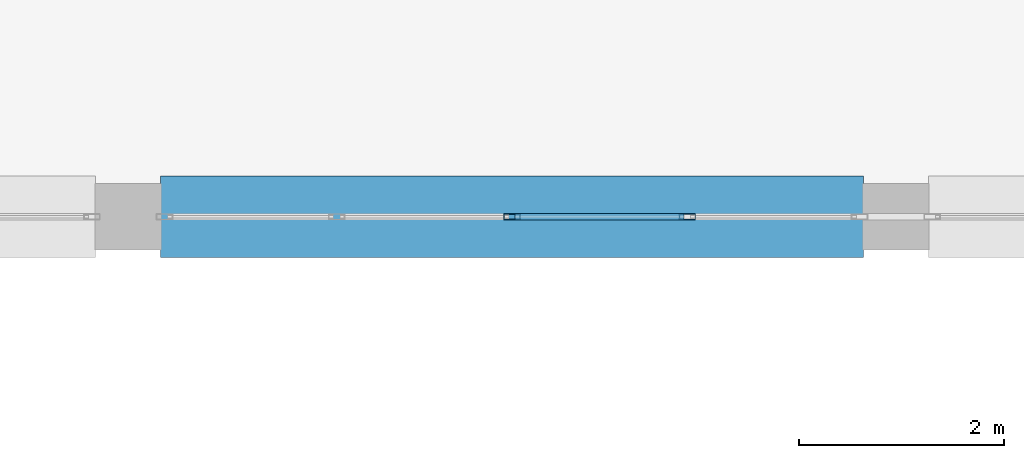
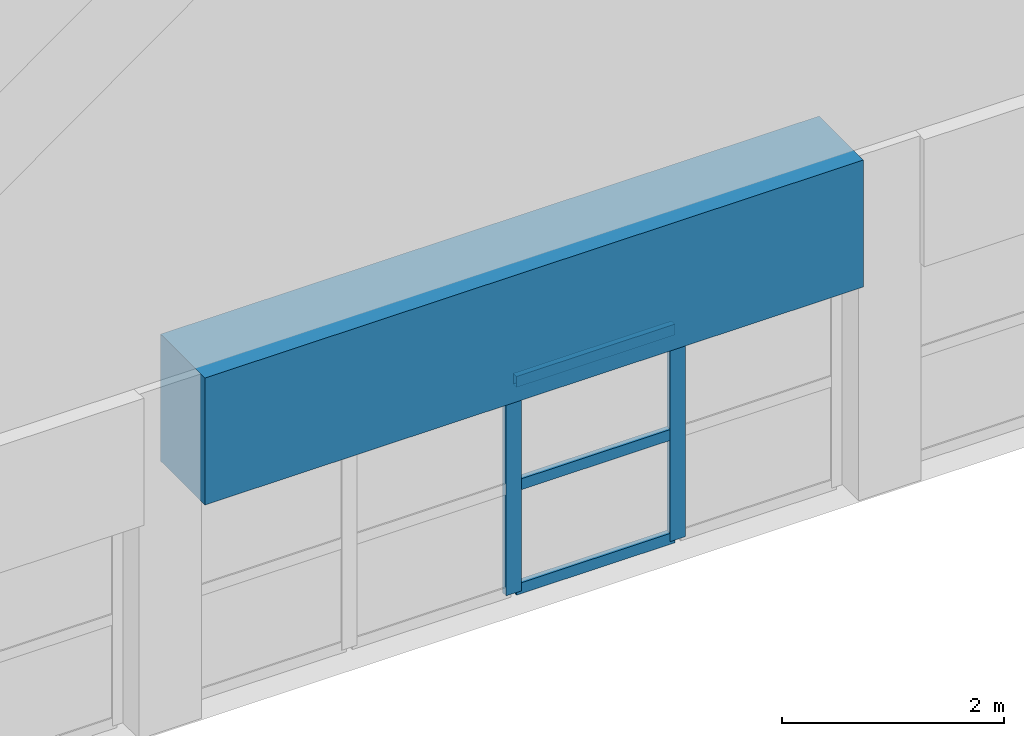
# One storey, part 17 of 74: 5 members, 1 beam, 1 element without a shape of its own.
"""IFC4 building model written with IfcOpenShell, lengths in metres."""

import ifcopenshell
import ifcopenshell.guid

model = None  # the IFC model being written
_history = None  # IfcOwnerHistory: only IFC2X3 demands one
_inside = {}  # id of a spatial element -> (the spatial element, [elements in it])
_under = {}  # id of a project, library or spatial element -> (it, [spatial elements below it])
_declared = {}  # id of a project -> (the project, [libraries it declares])
_typed = {}  # id of a type object -> (the type object, [elements of that type])
_made_of = {}  # id of a material, layer set ... -> (it, [elements and type objects made of it])


def new_model(schema):
    """Start an empty IFC model of exactly this schema.

    Asked for "IFC4X3", IfcOpenShell would pick the latest addendum, in which some entities
    have other attributes; the version numbers below select the first issue.
    IFC2X3 requires an IfcOwnerHistory on every rooted entity: one is made here for all.
    """
    global model, _history
    if schema == "IFC4X3":
        model = ifcopenshell.file(schema_version=(4, 3, 0, 0))
    else:
        model = ifcopenshell.file(schema=schema)
    _inside.clear()
    _under.clear()
    _declared.clear()
    _typed.clear()
    _made_of.clear()
    _history = None
    if model.schema == "IFC2X3":
        org = make("IfcOrganization", Name="unknown")
        user = make(
            "IfcPersonAndOrganization",
            ThePerson=make("IfcPerson", FamilyName="unknown"),
            TheOrganization=org,
        )
        app = make(
            "IfcApplication",
            ApplicationDeveloper=org,
            Version="unknown",
            ApplicationFullName="unknown",
            ApplicationIdentifier="unknown",
        )
        _history = make(
            "IfcOwnerHistory",
            OwningUser=user,
            OwningApplication=app,
            ChangeAction="ADDED",
            CreationDate=0,
        )
    return model


def make(cls, **values):
    """One entity of the class cls with the attributes given. An attribute that is None is left unset."""
    return model.create_entity(
        cls, **{name: value for name, value in values.items() if value is not None}
    )


def rooted(cls, **values):
    """An entity with a GlobalId (a new one), such as an element, a storey or a relation."""
    return make(cls, GlobalId=ifcopenshell.guid.new(), OwnerHistory=_history, **values)


def si_unit(unit_type, name, prefix=None):
    """IfcSIUnit, for example si_unit("LENGTHUNIT", "METRE", prefix="MILLI")."""
    return make("IfcSIUnit", UnitType=unit_type, Prefix=prefix, Name=name)


def assignment(units):
    """IfcUnitAssignment: the units of a project."""
    return None if units is None else make("IfcUnitAssignment", Units=units)


def point(xyz):
    """IfcCartesianPoint."""
    return None if xyz is None else make("IfcCartesianPoint", Coordinates=xyz)


def direction(xyz):
    """IfcDirection."""
    return None if xyz is None else make("IfcDirection", DirectionRatios=xyz)


def frame(location, z_axis=None, x_axis=None):
    """IfcAxis2Placement3D, a coordinate frame: its origin and axes. An axis left out is left unset."""
    return make(
        "IfcAxis2Placement3D",
        Location=point(location),
        Axis=direction(z_axis),
        RefDirection=direction(x_axis),
    )


def frame_2d(location, x_axis=None):
    """IfcAxis2Placement2D, a coordinate frame in the plane: its origin and x axis."""
    return make(
        "IfcAxis2Placement2D", Location=point(location), RefDirection=direction(x_axis)
    )


def origin():
    """The frame at (0, 0, 0) with its axes left unset."""
    return frame((0.0, 0.0, 0.0))


def origin_2d():
    """The frame at (0, 0) in the plane with its x axis left unset."""
    return frame_2d((0.0, 0.0))


def place(relative_to, where):
    """IfcLocalPlacement: puts the frame where relative to a parent placement (None: the world)."""
    return make(
        "IfcLocalPlacement", PlacementRelTo=relative_to, RelativePlacement=where
    )


def context(
    kind, dimensions, precision=None, world=None, true_north=None, identifier=None
):
    """IfcGeometricRepresentationContext, for example the 3D "Model" context."""
    return make(
        "IfcGeometricRepresentationContext",
        ContextIdentifier=identifier,
        ContextType=kind,
        CoordinateSpaceDimension=dimensions,
        Precision=precision,
        WorldCoordinateSystem=world,
        TrueNorth=true_north,
    )


def subcontext(parent, identifier, kind, view, scale=None):
    """IfcGeometricRepresentationSubContext, for example "Body" below "Model"."""
    return make(
        "IfcGeometricRepresentationSubContext",
        ContextIdentifier=identifier,
        ContextType=kind,
        ParentContext=parent,
        TargetScale=scale,
        TargetView=view,
    )


def project(units=None, contexts=None):
    """IfcProject with its units and contexts."""
    return rooted(
        "IfcProject",
        Name="project",
        RepresentationContexts=contexts,
        UnitsInContext=assignment(units),
    )


def spatial(cls, under=None, at=None, **own):
    """A site, building, storey or space (cls), placed at a placement, below another one or the project."""
    s = rooted(cls, ObjectPlacement=at, **own)
    if under is not None:
        _under.setdefault(under.id(), (under, []))[1].append(s)
    return s


def profile(cls, at=None, kind="AREA", **sizes):
    """A parametric profile (cls). Its sizes go by their IFC names, for example OverallWidth=200.0."""
    return make(cls, ProfileType=kind, Position=at, **sizes)


def rectangle(**sizes):
    """IfcRectangleProfileDef."""
    return profile("IfcRectangleProfileDef", **sizes)


def hollow_rectangle(**sizes):
    """IfcRectangleHollowProfileDef."""
    return profile("IfcRectangleHollowProfileDef", **sizes)


def extrude(swept, where, along, depth):
    """IfcExtrudedAreaSolid: the profile swept, set in the frame where, extruded along a direction by depth."""
    return make(
        "IfcExtrudedAreaSolid",
        SweptArea=swept,
        Position=where,
        ExtrudedDirection=direction(along),
        Depth=depth,
    )


def shape(context_of_items, identifier, shape_type, items):
    """IfcShapeRepresentation: the items that make up one representation, for example the "Body"."""
    return make(
        "IfcShapeRepresentation",
        ContextOfItems=context_of_items,
        RepresentationIdentifier=identifier,
        RepresentationType=shape_type,
        Items=items,
    )


def material(Name=None, Category=None):
    """IfcMaterial."""
    return make("IfcMaterial", Name=Name, Category=Category)


def layer(
    of_material, thickness, ventilated=None, Name=None, Category=None, Priority=None
):
    """IfcMaterialLayer: one layer of a wall or slab, of a material (None: an air gap)."""
    return make(
        "IfcMaterialLayer",
        Material=of_material,
        LayerThickness=thickness,
        IsVentilated=ventilated,
        Name=Name,
        Category=Category,
        Priority=Priority,
    )


def layer_set(layers, Name=None):
    """IfcMaterialLayerSet."""
    return make("IfcMaterialLayerSet", MaterialLayers=layers, LayerSetName=Name)


def material_profile(
    of_material, cross_section, Name=None, Category=None, Priority=None
):
    """IfcMaterialProfile: a cross section and its material."""
    return make(
        "IfcMaterialProfile",
        Name=Name,
        Material=of_material,
        Profile=cross_section,
        Priority=Priority,
        Category=Category,
    )


def profile_set(profiles, Name=None, composite=None):
    """IfcMaterialProfileSet."""
    return make(
        "IfcMaterialProfileSet",
        Name=Name,
        MaterialProfiles=profiles,
        CompositeProfile=composite,
    )


def made_of(thing, what):
    """Note that an element or type object is made of a material, layer set ...; save() writes the relation."""
    if what is not None:
        _made_of.setdefault(what.id(), (what, []))[1].append(thing)
    return thing


def type_object(cls, material=None, **own):
    """A type object (cls), such as IfcWallType, which elements share."""
    return made_of(rooted(cls, **own), material)


def element(
    cls,
    number,
    at=None,
    inside=None,
    cuts=None,
    type_object=None,
    material=None,
    context=None,
    identifier="Body",
    shape_type=None,
    held_by="IfcProductDefinitionShape",
    body=None,
    shapes=None,
    **own,
):
    """One element of the class cls, such as IfcWall. Its Tag is "e" and its number.

    at: its placement. inside: the storey or other place that contains it. cuts: it is an
    opening in that element (IfcRelVoidsElement). A single representation is given by context,
    identifier, shape_type and body (its items); several are given by shapes. held_by: the class
    of the entity that holds the representations. save() writes the other relations.
    """
    e = rooted(cls, Tag="e%d" % number, ObjectPlacement=at, **own)
    if body is not None:
        shapes = [shape(context, identifier, shape_type, body)]
    if shapes is not None:
        e.Representation = make(held_by, Representations=shapes)
    if inside is not None:
        _inside.setdefault(inside.id(), (inside, []))[1].append(e)
    if cuts is not None:
        rooted(
            "IfcRelVoidsElement", RelatingBuildingElement=cuts, RelatedOpeningElement=e
        )
    if type_object is not None:
        _typed.setdefault(type_object.id(), (type_object, []))[1].append(e)
    return made_of(e, material)


def aggregate(whole, parts):
    """IfcRelAggregates: a whole, such as a stair, and the parts it consists of."""
    return rooted("IfcRelAggregates", RelatingObject=whole, RelatedObjects=parts)


def save(model, path):
    """Write the relations noted so far, then the file.

    IfcRelAggregates (storeys below a building ...), IfcRelContainedInSpatialStructure (elements
    in a storey), IfcRelDefinesByType, IfcRelAssociatesMaterial and IfcRelDeclares: one each for
    every whole, place, type object, material and project.
    """
    for whole, parts in _under.values():
        aggregate(whole, parts)
    for where, things in _inside.values():
        rooted(
            "IfcRelContainedInSpatialStructure",
            RelatedElements=things,
            RelatingStructure=where,
        )
    for kind, things in _typed.values():
        rooted("IfcRelDefinesByType", RelatedObjects=things, RelatingType=kind)
    for what, things in _made_of.values():
        rooted("IfcRelAssociatesMaterial", RelatedObjects=things, RelatingMaterial=what)
    for by, libraries in _declared.values():
        rooted("IfcRelDeclares", RelatingContext=by, RelatedDefinitions=libraries)
    model.write(path)


model = new_model("IFC4")

# Units and contexts
model_context = context("Model", 3, precision=1e-05, world=origin(), true_north=direction((0.0, 1.0)))
body_context = subcontext(model_context, "Body", "Model", "MODEL_VIEW")
ifc_project = project(units=[si_unit("LENGTHUNIT", "METRE"), si_unit("AREAUNIT", "SQUARE_METRE"), si_unit("VOLUMEUNIT", "CUBIC_METRE"), si_unit("PLANEANGLEUNIT", "RADIAN"), si_unit("MASSUNIT", "GRAM", prefix="KILO")], contexts=[model_context])

# Site, building, storey
site_placement = place(None, origin())
site = spatial("IfcSite", under=ifc_project, at=site_placement, CompositionType="ELEMENT")
building_placement = place(site_placement, origin())
building = spatial("IfcBuilding", under=site, at=building_placement, Name="Muzn Square Opera House", CompositionType="ELEMENT")
storey_placement = place(building_placement, frame((0.0, 0.0, 14.199951171875)))
storey = spatial("IfcBuildingStorey", under=building, at=storey_placement, Name="L03", CompositionType="ELEMENT", Elevation=14.199951171875)

# Curtain wall, members
ifc_material_1 = material(Name="Low-E laminated acoustic double glazing", Category="glass")
ifc_layer = layer(ifc_material_1, 0.159912109375, Name="Low-E laminated acoustic double glazing", Category="glass")
ifc_layer_set = layer_set([ifc_layer], Name="Low-E laminated acoustic double glazing")
curtain_wall_type = type_object("IfcCurtainWallType", Name="Glazed Curtain Wall Forecourt 6850x2350", PredefinedType="USERDEFINED", material=ifc_layer_set)
curtain_wall_placement = place(storey_placement, origin())
curtain_wall = element("IfcCurtainWall", 1, at=curtain_wall_placement, inside=storey, type_object=curtain_wall_type, Name="Glazed Curtain Wall CW-L03-023", ObjectType="GLAZED CURTAIN WALL", PredefinedType="USERDEFINED")
ifc_material_2 = material(Name="Anodised bronze aluminium 6063-T6", Category="metal")
ifc_material_profile_1 = material_profile(ifc_material_2, hollow_rectangle(XDim=0.06005859375, YDim=0.159912109375, WallThickness=0.00390625, at=origin_2d()), Name="ALU 160x60x4", Category="metal")
ifc_profile_set_1 = profile_set([ifc_material_profile_1], Name="Anodised bronze aluminium 6063-T6")
member_type_1 = type_object("IfcMemberType", Name="Curtain Wall Mullion 160x60", PredefinedType="MULLION", material=ifc_profile_set_1)
member_1_placement = place(storey_placement, frame((84.25, 22.0, 0.0), z_axis=(0.0, 0.0, 1.0), x_axis=(0.0, 1.0, 0.0)))
member_1 = element("IfcMember", 2, at=member_1_placement, type_object=member_type_1, Name="CW-FC-68x23 mullion 3", PredefinedType="MULLION", context=body_context, shape_type="SweptSolid", body=[
    extrude(hollow_rectangle(XDim=0.06005859375, YDim=0.159912109375, WallThickness=0.00390625, at=origin_2d()), origin(), (0.0, 0.0, 1.0), 2.35009765625),
])
member_2_placement = place(storey_placement, frame((85.96240234375, 22.0, 0.0), z_axis=(0.0, 0.0, 1.0), x_axis=(0.0, 1.0, 0.0)))
member_2 = element("IfcMember", 3, at=member_2_placement, type_object=member_type_1, Name="CW-FC-68x23 mullion 4", PredefinedType="MULLION", context=body_context, shape_type="SweptSolid", body=[
    extrude(hollow_rectangle(XDim=0.06005859375, YDim=0.159912109375, WallThickness=0.00390625, at=origin_2d()), origin(), (0.0, 0.0, 1.0), 2.35009765625),
])
ifc_material_profile_2 = material_profile(ifc_material_2, hollow_rectangle(XDim=0.06005859375, YDim=0.1201171875, WallThickness=0.00390625, at=origin_2d()), Name="ALU 120x60x4", Category="metal")
ifc_profile_set_2 = profile_set([ifc_material_profile_2], Name="Anodised bronze aluminium 6063-T6")
member_type_2 = type_object("IfcMemberType", Name="Curtain Wall Transom 120x60", PredefinedType="USERDEFINED", material=ifc_profile_set_2)
member_3_placement = place(storey_placement, frame((84.280029296875, 22.0, 0.030029296875), z_axis=(1.0, 0.0, 0.0), x_axis=(0.0, 1.0, 0.0)))
member_3 = element("IfcMember", 4, at=member_3_placement, type_object=member_type_2, Name="CW-FC-68x23 transom 3.1", ObjectType="TRANSOM", PredefinedType="USERDEFINED", context=body_context, shape_type="SweptSolid", body=[
    extrude(hollow_rectangle(XDim=0.06005859375, YDim=0.1201171875, WallThickness=0.00390625, at=origin_2d()), origin(), (0.0, 0.0, 1.0), 1.652587890625),
])
member_4_placement = place(storey_placement, frame((84.280029296875, 22.0, 1.175048828125), z_axis=(1.0, 0.0, 0.0), x_axis=(0.0, 1.0, 0.0)))
member_4 = element("IfcMember", 5, at=member_4_placement, type_object=member_type_2, Name="CW-FC-68x23 transom 3.2", ObjectType="TRANSOM", PredefinedType="USERDEFINED", context=body_context, shape_type="SweptSolid", body=[
    extrude(hollow_rectangle(XDim=0.06005859375, YDim=0.1201171875, WallThickness=0.00390625, at=origin_2d()), origin(), (0.0, 0.0, 1.0), 1.652587890625),
])
member_5_placement = place(storey_placement, frame((84.280029296875, 22.0, 2.320068359375), z_axis=(1.0, 0.0, 0.0), x_axis=(0.0, 1.0, 0.0)))
member_5 = element("IfcMember", 6, at=member_5_placement, type_object=member_type_2, Name="CW-FC-68x23 transom 3.3", ObjectType="TRANSOM", PredefinedType="USERDEFINED", context=body_context, shape_type="SweptSolid", body=[
    extrude(hollow_rectangle(XDim=0.06005859375, YDim=0.1201171875, WallThickness=0.00390625, at=origin_2d()), origin(), (0.0, 0.0, 1.0), 1.652587890625),
])
aggregate(curtain_wall, [member_1, member_2, member_3, member_4, member_5])

# Beam
ifc_material_3 = material(Name="Concrete C45/55", Category="concrete")
ifc_material_profile_3 = material_profile(ifc_material_3, rectangle(XDim=0.800048828125, YDim=1.39990234375, at=origin_2d()), Name="RCB 800x1400", Category="concrete")
ifc_profile_set_3 = profile_set([ifc_material_profile_3], Name="Concrete C45/55")
beam_type = type_object("IfcBeamType", Name="Vault Springing Girder 800x1400", PredefinedType="BEAM", material=ifc_profile_set_3)
beam_placement = place(storey_placement, frame((80.81689453125, 22.0, 3.10009765625), z_axis=(1.0, 0.0, 0.0), x_axis=(0.0, 1.0, 0.0)))
element("IfcBeam", 7, at=beam_placement, inside=storey, type_object=beam_type, Name="Gable Support Girder BM-L03-BM-VS1400-808_220_877_220-2412", PredefinedType="BEAM", context=body_context, shape_type="SweptSolid", body=[
    extrude(rectangle(XDim=0.800048828125, YDim=1.39990234375, at=origin_2d()), origin(), (0.0, 0.0, 1.0), 6.8662109375),
])

save(model, "model.ifc")
